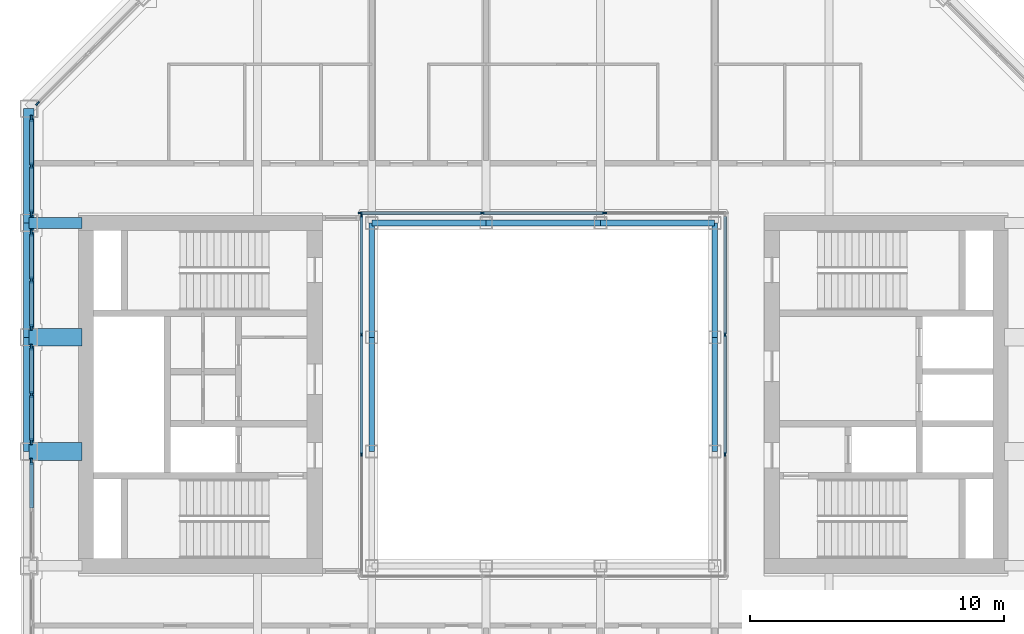
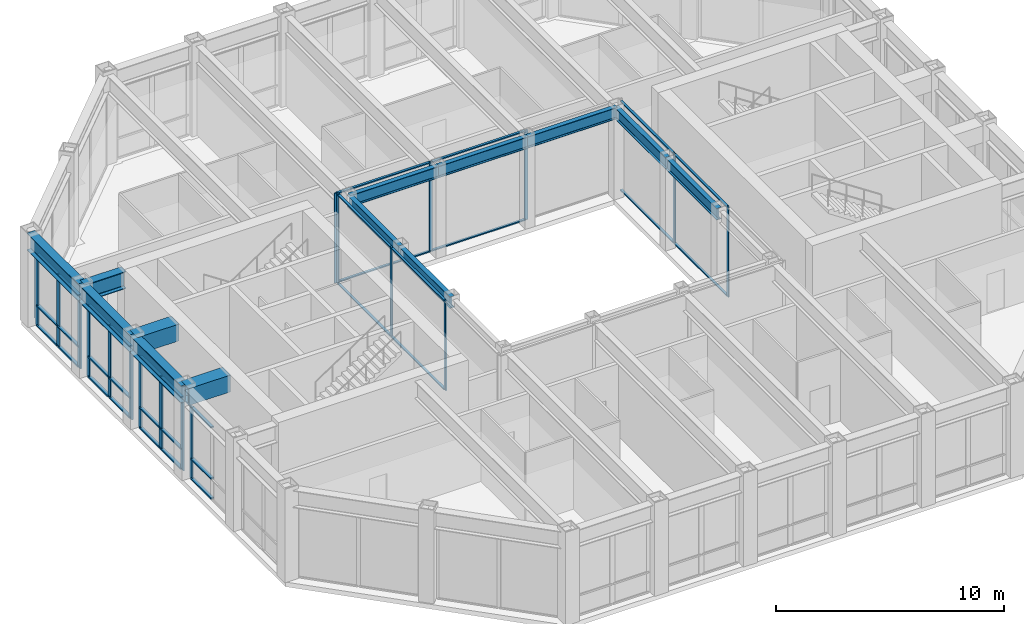
# One storey, part 4 of 15: 52 members, 13 beams, 8 elements without a shape of their own.
"""IFC4 building model written with IfcOpenShell, lengths in metres."""

import ifcopenshell
import ifcopenshell.guid

model = None  # the IFC model being written
_history = None  # IfcOwnerHistory: only IFC2X3 demands one
_inside = {}  # id of a spatial element -> (the spatial element, [elements in it])
_under = {}  # id of a project, library or spatial element -> (it, [spatial elements below it])
_declared = {}  # id of a project -> (the project, [libraries it declares])
_typed = {}  # id of a type object -> (the type object, [elements of that type])
_made_of = {}  # id of a material, layer set ... -> (it, [elements and type objects made of it])


def new_model(schema):
    """Start an empty IFC model of exactly this schema.

    Asked for "IFC4X3", IfcOpenShell would pick the latest addendum, in which some entities
    have other attributes; the version numbers below select the first issue.
    IFC2X3 requires an IfcOwnerHistory on every rooted entity: one is made here for all.
    """
    global model, _history
    if schema == "IFC4X3":
        model = ifcopenshell.file(schema_version=(4, 3, 0, 0))
    else:
        model = ifcopenshell.file(schema=schema)
    _inside.clear()
    _under.clear()
    _declared.clear()
    _typed.clear()
    _made_of.clear()
    _history = None
    if model.schema == "IFC2X3":
        org = make("IfcOrganization", Name="unknown")
        user = make(
            "IfcPersonAndOrganization",
            ThePerson=make("IfcPerson", FamilyName="unknown"),
            TheOrganization=org,
        )
        app = make(
            "IfcApplication",
            ApplicationDeveloper=org,
            Version="unknown",
            ApplicationFullName="unknown",
            ApplicationIdentifier="unknown",
        )
        _history = make(
            "IfcOwnerHistory",
            OwningUser=user,
            OwningApplication=app,
            ChangeAction="ADDED",
            CreationDate=0,
        )
    return model


def make(cls, **values):
    """One entity of the class cls with the attributes given. An attribute that is None is left unset."""
    return model.create_entity(
        cls, **{name: value for name, value in values.items() if value is not None}
    )


def rooted(cls, **values):
    """An entity with a GlobalId (a new one), such as an element, a storey or a relation."""
    return make(cls, GlobalId=ifcopenshell.guid.new(), OwnerHistory=_history, **values)


def si_unit(unit_type, name, prefix=None):
    """IfcSIUnit, for example si_unit("LENGTHUNIT", "METRE", prefix="MILLI")."""
    return make("IfcSIUnit", UnitType=unit_type, Prefix=prefix, Name=name)


def assignment(units):
    """IfcUnitAssignment: the units of a project."""
    return None if units is None else make("IfcUnitAssignment", Units=units)


def point(xyz):
    """IfcCartesianPoint."""
    return None if xyz is None else make("IfcCartesianPoint", Coordinates=xyz)


def direction(xyz):
    """IfcDirection."""
    return None if xyz is None else make("IfcDirection", DirectionRatios=xyz)


def frame(location, z_axis=None, x_axis=None):
    """IfcAxis2Placement3D, a coordinate frame: its origin and axes. An axis left out is left unset."""
    return make(
        "IfcAxis2Placement3D",
        Location=point(location),
        Axis=direction(z_axis),
        RefDirection=direction(x_axis),
    )


def frame_2d(location, x_axis=None):
    """IfcAxis2Placement2D, a coordinate frame in the plane: its origin and x axis."""
    return make(
        "IfcAxis2Placement2D", Location=point(location), RefDirection=direction(x_axis)
    )


def origin():
    """The frame at (0, 0, 0) with its axes left unset."""
    return frame((0.0, 0.0, 0.0))


def origin_2d():
    """The frame at (0, 0) in the plane with its x axis left unset."""
    return frame_2d((0.0, 0.0))


def place(relative_to, where):
    """IfcLocalPlacement: puts the frame where relative to a parent placement (None: the world)."""
    return make(
        "IfcLocalPlacement", PlacementRelTo=relative_to, RelativePlacement=where
    )


def context(
    kind, dimensions, precision=None, world=None, true_north=None, identifier=None
):
    """IfcGeometricRepresentationContext, for example the 3D "Model" context."""
    return make(
        "IfcGeometricRepresentationContext",
        ContextIdentifier=identifier,
        ContextType=kind,
        CoordinateSpaceDimension=dimensions,
        Precision=precision,
        WorldCoordinateSystem=world,
        TrueNorth=true_north,
    )


def subcontext(parent, identifier, kind, view, scale=None):
    """IfcGeometricRepresentationSubContext, for example "Body" below "Model"."""
    return make(
        "IfcGeometricRepresentationSubContext",
        ContextIdentifier=identifier,
        ContextType=kind,
        ParentContext=parent,
        TargetScale=scale,
        TargetView=view,
    )


def project(units=None, contexts=None):
    """IfcProject with its units and contexts."""
    return rooted(
        "IfcProject",
        Name="project",
        RepresentationContexts=contexts,
        UnitsInContext=assignment(units),
    )


def spatial(cls, under=None, at=None, **own):
    """A site, building, storey or space (cls), placed at a placement, below another one or the project."""
    s = rooted(cls, ObjectPlacement=at, **own)
    if under is not None:
        _under.setdefault(under.id(), (under, []))[1].append(s)
    return s


def profile(cls, at=None, kind="AREA", **sizes):
    """A parametric profile (cls). Its sizes go by their IFC names, for example OverallWidth=200.0."""
    return make(cls, ProfileType=kind, Position=at, **sizes)


def rectangle(**sizes):
    """IfcRectangleProfileDef."""
    return profile("IfcRectangleProfileDef", **sizes)


def hollow_rectangle(**sizes):
    """IfcRectangleHollowProfileDef."""
    return profile("IfcRectangleHollowProfileDef", **sizes)


def i_section(**sizes):
    """IfcIShapeProfileDef."""
    return profile("IfcIShapeProfileDef", **sizes)


def extrude(swept, where, along, depth):
    """IfcExtrudedAreaSolid: the profile swept, set in the frame where, extruded along a direction by depth."""
    return make(
        "IfcExtrudedAreaSolid",
        SweptArea=swept,
        Position=where,
        ExtrudedDirection=direction(along),
        Depth=depth,
    )


def shape(context_of_items, identifier, shape_type, items):
    """IfcShapeRepresentation: the items that make up one representation, for example the "Body"."""
    return make(
        "IfcShapeRepresentation",
        ContextOfItems=context_of_items,
        RepresentationIdentifier=identifier,
        RepresentationType=shape_type,
        Items=items,
    )


def material(Name=None, Category=None):
    """IfcMaterial."""
    return make("IfcMaterial", Name=Name, Category=Category)


def material_profile(
    of_material, cross_section, Name=None, Category=None, Priority=None
):
    """IfcMaterialProfile: a cross section and its material."""
    return make(
        "IfcMaterialProfile",
        Name=Name,
        Material=of_material,
        Profile=cross_section,
        Priority=Priority,
        Category=Category,
    )


def profile_set(profiles, Name=None, composite=None):
    """IfcMaterialProfileSet."""
    return make(
        "IfcMaterialProfileSet",
        Name=Name,
        MaterialProfiles=profiles,
        CompositeProfile=composite,
    )


def made_of(thing, what):
    """Note that an element or type object is made of a material, layer set ...; save() writes the relation."""
    if what is not None:
        _made_of.setdefault(what.id(), (what, []))[1].append(thing)
    return thing


def type_object(cls, material=None, **own):
    """A type object (cls), such as IfcWallType, which elements share."""
    return made_of(rooted(cls, **own), material)


def element(
    cls,
    number,
    at=None,
    inside=None,
    cuts=None,
    type_object=None,
    material=None,
    context=None,
    identifier="Body",
    shape_type=None,
    held_by="IfcProductDefinitionShape",
    body=None,
    shapes=None,
    **own,
):
    """One element of the class cls, such as IfcWall. Its Tag is "e" and its number.

    at: its placement. inside: the storey or other place that contains it. cuts: it is an
    opening in that element (IfcRelVoidsElement). A single representation is given by context,
    identifier, shape_type and body (its items); several are given by shapes. held_by: the class
    of the entity that holds the representations. save() writes the other relations.
    """
    e = rooted(cls, Tag="e%d" % number, ObjectPlacement=at, **own)
    if body is not None:
        shapes = [shape(context, identifier, shape_type, body)]
    if shapes is not None:
        e.Representation = make(held_by, Representations=shapes)
    if inside is not None:
        _inside.setdefault(inside.id(), (inside, []))[1].append(e)
    if cuts is not None:
        rooted(
            "IfcRelVoidsElement", RelatingBuildingElement=cuts, RelatedOpeningElement=e
        )
    if type_object is not None:
        _typed.setdefault(type_object.id(), (type_object, []))[1].append(e)
    return made_of(e, material)


def aggregate(whole, parts):
    """IfcRelAggregates: a whole, such as a stair, and the parts it consists of."""
    return rooted("IfcRelAggregates", RelatingObject=whole, RelatedObjects=parts)


def save(model, path):
    """Write the relations noted so far, then the file.

    IfcRelAggregates (storeys below a building ...), IfcRelContainedInSpatialStructure (elements
    in a storey), IfcRelDefinesByType, IfcRelAssociatesMaterial and IfcRelDeclares: one each for
    every whole, place, type object, material and project.
    """
    for whole, parts in _under.values():
        aggregate(whole, parts)
    for where, things in _inside.values():
        rooted(
            "IfcRelContainedInSpatialStructure",
            RelatedElements=things,
            RelatingStructure=where,
        )
    for kind, things in _typed.values():
        rooted("IfcRelDefinesByType", RelatedObjects=things, RelatingType=kind)
    for what, things in _made_of.values():
        rooted("IfcRelAssociatesMaterial", RelatedObjects=things, RelatingMaterial=what)
    for by, libraries in _declared.values():
        rooted("IfcRelDeclares", RelatingContext=by, RelatedDefinitions=libraries)
    model.write(path)


model = new_model("IFC4")

# Units and contexts
model_context = context("Model", 3, precision=1e-05, world=origin(), true_north=direction((0.0, 1.0)))
body_context = subcontext(model_context, "Body", "Model", "MODEL_VIEW")
ifc_project = project(units=[si_unit("LENGTHUNIT", "METRE"), si_unit("AREAUNIT", "SQUARE_METRE"), si_unit("VOLUMEUNIT", "CUBIC_METRE"), si_unit("PLANEANGLEUNIT", "RADIAN"), si_unit("MASSUNIT", "GRAM", prefix="KILO")], contexts=[model_context])

# Site, building, storey
site_placement = place(None, origin())
site = spatial("IfcSite", under=ifc_project, at=site_placement, CompositionType="ELEMENT")
building_placement = place(site_placement, origin())
building = spatial("IfcBuilding", under=site, at=building_placement, Name="Msasa Ring Tower", CompositionType="ELEMENT")
storey_placement = place(building_placement, frame((0.0, 0.0, 195.800048828125)))
storey = spatial("IfcBuildingStorey", under=building, at=storey_placement, Name="L51", CompositionType="ELEMENT", Elevation=195.800048828125)

# Curtain wall, member
ifc_material_1 = material(Name="Aluminium curtain wall with clear glass", Category="aluminium")
curtain_wall_type_1 = type_object("IfcCurtainWallType", Name="CW-C CHAMFER CORNER CURTAIN WALL", PredefinedType="NOTDEFINED", material=ifc_material_1)
curtain_wall_1_placement = place(storey_placement, origin())
curtain_wall_1 = element("IfcCurtainWall", 1, at=curtain_wall_1_placement, inside=storey, type_object=curtain_wall_type_1, Name="Chamfer corner curtain wall NW L51", PredefinedType="NOTDEFINED")
ifc_material_2 = material(Name="Aluminium mullion", Category="aluminium")
ifc_material_profile_1 = material_profile(ifc_material_2, rectangle(XDim=0.06494140625, YDim=0.179931640625, at=origin_2d()), Name="AL 65x180")
ifc_profile_set_1 = profile_set([ifc_material_profile_1], Name="Aluminium mullion")
member_type_1 = type_object("IfcMemberType", Name="CW-C MULLION 65x180", PredefinedType="MULLION", material=ifc_profile_set_1)
member_1_placement = place(storey_placement, frame((-19.9052734375, 11.453369140625, 0.0), z_axis=(0.0, 0.0, 1.0), x_axis=(0.707106781187, -0.707106781187, 0.0)))
member_1 = element("IfcMember", 2, at=member_1_placement, type_object=member_type_1, Name="CW-C mullion 3", PredefinedType="MULLION", context=body_context, shape_type="SweptSolid", body=[
    extrude(rectangle(XDim=0.06494140625, YDim=0.179931640625, at=origin_2d()), origin(), (0.0, 0.0, 1.0), 3.87890625),
])
aggregate(curtain_wall_1, [member_1])

ifc_material_3 = material(Name="Aluminium curtain wall with clear glass", Category="aluminium")
curtain_wall_type_2 = type_object("IfcCurtainWallType", Name="CW-S SKY LOBBY CURTAIN WALL", PredefinedType="NOTDEFINED", material=ifc_material_3)
curtain_wall_2_placement = place(storey_placement, origin())
curtain_wall_2 = element("IfcCurtainWall", 3, at=curtain_wall_2_placement, inside=storey, type_object=curtain_wall_type_2, Name="Sky lobby curtain wall W L51", PredefinedType="NOTDEFINED")
ifc_material_4 = material(Name="Aluminium mullion", Category="aluminium")
ifc_material_profile_2 = material_profile(ifc_material_4, rectangle(XDim=0.074951171875, YDim=0.25, at=origin_2d()), Name="AL 75x250")
ifc_profile_set_2 = profile_set([ifc_material_profile_2], Name="Aluminium mullion")
member_type_2 = type_object("IfcMemberType", Name="CW-S MULLION 75x250", PredefinedType="MULLION", material=ifc_profile_set_2)
member_2_placement = place(storey_placement, frame((-20.14990234375, -2.642578125, 0.0), z_axis=(0.0, 0.0, 1.0), x_axis=(-1.0, 0.0, 0.0)))
member_2 = element("IfcMember", 4, at=member_2_placement, type_object=member_type_2, Name="CW-S mullion 3", PredefinedType="MULLION", context=body_context, shape_type="SweptSolid", body=[
    extrude(rectangle(XDim=0.074951171875, YDim=0.25, at=origin_2d()), origin(), (0.0, 0.0, 1.0), 3.87890625),
])

# Curtain wall, members
curtain_wall_3_placement = place(storey_placement, origin())
curtain_wall_3 = element("IfcCurtainWall", 5, at=curtain_wall_3_placement, inside=storey, type_object=curtain_wall_type_2, Name="Sky lobby curtain wall W L51", PredefinedType="NOTDEFINED")
member_3_placement = place(storey_placement, frame((-20.14990234375, -1.857421875, 0.0), z_axis=(0.0, 0.0, 1.0), x_axis=(-1.0, 0.0, 0.0)))
member_3 = element("IfcMember", 6, at=member_3_placement, type_object=member_type_2, Name="CW-S mullion 1", PredefinedType="MULLION", context=body_context, shape_type="SweptSolid", body=[
    extrude(rectangle(XDim=0.074951171875, YDim=0.25, at=origin_2d()), origin(), (0.0, 0.0, 1.0), 3.87890625),
])
member_4_placement = place(storey_placement, frame((-20.14990234375, 0.0, 0.0), z_axis=(0.0, 0.0, 1.0), x_axis=(-1.0, 0.0, 0.0)))
member_4 = element("IfcMember", 7, at=member_4_placement, type_object=member_type_2, Name="CW-S mullion 2", PredefinedType="MULLION", context=body_context, shape_type="SweptSolid", body=[
    extrude(rectangle(XDim=0.074951171875, YDim=0.25, at=origin_2d()), origin(), (0.0, 0.0, 1.0), 3.87890625),
])
member_5_placement = place(storey_placement, frame((-20.14990234375, 1.857421875, 0.0), z_axis=(0.0, 0.0, 1.0), x_axis=(-1.0, 0.0, 0.0)))
member_5 = element("IfcMember", 8, at=member_5_placement, type_object=member_type_2, Name="CW-S mullion 3", PredefinedType="MULLION", context=body_context, shape_type="SweptSolid", body=[
    extrude(rectangle(XDim=0.074951171875, YDim=0.25, at=origin_2d()), origin(), (0.0, 0.0, 1.0), 3.87890625),
])

curtain_wall_4_placement = place(storey_placement, origin())
curtain_wall_4 = element("IfcCurtainWall", 9, at=curtain_wall_4_placement, inside=storey, type_object=curtain_wall_type_2, Name="Sky lobby curtain wall W L51", PredefinedType="NOTDEFINED")
member_6_placement = place(storey_placement, frame((-20.14990234375, 2.642578125, 0.0), z_axis=(0.0, 0.0, 1.0), x_axis=(-1.0, 0.0, 0.0)))
member_6 = element("IfcMember", 10, at=member_6_placement, type_object=member_type_2, Name="CW-S mullion 1", PredefinedType="MULLION", context=body_context, shape_type="SweptSolid", body=[
    extrude(rectangle(XDim=0.074951171875, YDim=0.25, at=origin_2d()), origin(), (0.0, 0.0, 1.0), 3.87890625),
])
member_7_placement = place(storey_placement, frame((-20.14990234375, 4.5, 0.0), z_axis=(0.0, 0.0, 1.0), x_axis=(-1.0, 0.0, 0.0)))
member_7 = element("IfcMember", 11, at=member_7_placement, type_object=member_type_2, Name="CW-S mullion 2", PredefinedType="MULLION", context=body_context, shape_type="SweptSolid", body=[
    extrude(rectangle(XDim=0.074951171875, YDim=0.25, at=origin_2d()), origin(), (0.0, 0.0, 1.0), 3.87890625),
])
member_8_placement = place(storey_placement, frame((-20.14990234375, 6.357421875, 0.0), z_axis=(0.0, 0.0, 1.0), x_axis=(-1.0, 0.0, 0.0)))
member_8 = element("IfcMember", 12, at=member_8_placement, type_object=member_type_2, Name="CW-S mullion 3", PredefinedType="MULLION", context=body_context, shape_type="SweptSolid", body=[
    extrude(rectangle(XDim=0.074951171875, YDim=0.25, at=origin_2d()), origin(), (0.0, 0.0, 1.0), 3.87890625),
])

curtain_wall_5_placement = place(storey_placement, origin())
curtain_wall_5 = element("IfcCurtainWall", 13, at=curtain_wall_5_placement, inside=storey, type_object=curtain_wall_type_2, Name="Sky lobby curtain wall W L51", PredefinedType="NOTDEFINED")
member_9_placement = place(storey_placement, frame((-20.14990234375, 7.142578125, 0.0), z_axis=(0.0, 0.0, 1.0), x_axis=(-1.0, 0.0, 0.0)))
member_9 = element("IfcMember", 14, at=member_9_placement, type_object=member_type_2, Name="CW-S mullion 1", PredefinedType="MULLION", context=body_context, shape_type="SweptSolid", body=[
    extrude(rectangle(XDim=0.074951171875, YDim=0.25, at=origin_2d()), origin(), (0.0, 0.0, 1.0), 3.87890625),
])
member_10_placement = place(storey_placement, frame((-20.14990234375, 9.0, 0.0), z_axis=(0.0, 0.0, 1.0), x_axis=(-1.0, 0.0, 0.0)))
member_10 = element("IfcMember", 15, at=member_10_placement, type_object=member_type_2, Name="CW-S mullion 2", PredefinedType="MULLION", context=body_context, shape_type="SweptSolid", body=[
    extrude(rectangle(XDim=0.074951171875, YDim=0.25, at=origin_2d()), origin(), (0.0, 0.0, 1.0), 3.87890625),
])
member_11_placement = place(storey_placement, frame((-20.14990234375, 10.857421875, 0.0), z_axis=(0.0, 0.0, 1.0), x_axis=(-1.0, 0.0, 0.0)))
member_11 = element("IfcMember", 16, at=member_11_placement, type_object=member_type_2, Name="CW-S mullion 3", PredefinedType="MULLION", context=body_context, shape_type="SweptSolid", body=[
    extrude(rectangle(XDim=0.074951171875, YDim=0.25, at=origin_2d()), origin(), (0.0, 0.0, 1.0), 3.87890625),
])

# Member
ifc_material_5 = material(Name="Aluminium transom", Category="aluminium")
ifc_material_profile_3 = material_profile(ifc_material_5, rectangle(XDim=0.159912109375, YDim=0.074951171875, at=origin_2d()), Name="AL 75x160")
ifc_profile_set_3 = profile_set([ifc_material_profile_3], Name="Aluminium transom")
member_type_3 = type_object("IfcMemberType", Name="CW-S TRANSOM 75x160", PredefinedType="USERDEFINED", material=ifc_profile_set_3)
member_12_placement = place(storey_placement, frame((-20.14990234375, -4.46240234375, 0.037353515625), z_axis=(0.0, 1.0, 0.0), x_axis=(-1.0, 0.0, 0.0)))
member_12 = element("IfcMember", 17, at=member_12_placement, type_object=member_type_3, Name="CW-S transom 2.1", ObjectType="TRANSOM", PredefinedType="USERDEFINED", context=body_context, shape_type="SweptSolid", body=[
    extrude(rectangle(XDim=0.159912109375, YDim=0.074951171875, at=origin_2d()), origin(), (0.0, 0.0, 1.0), 1.782470703125),
])

member_13_placement = place(storey_placement, frame((-20.14990234375, -4.46240234375, 1.099853515625), z_axis=(0.0, 1.0, 0.0), x_axis=(-1.0, 0.0, 0.0)))
member_13 = element("IfcMember", 18, at=member_13_placement, type_object=member_type_3, Name="CW-S transom 2.2", ObjectType="TRANSOM", PredefinedType="USERDEFINED", context=body_context, shape_type="SweptSolid", body=[
    extrude(rectangle(XDim=0.159912109375, YDim=0.074951171875, at=origin_2d()), origin(), (0.0, 0.0, 1.0), 1.782470703125),
])

member_14_placement = place(storey_placement, frame((-20.14990234375, -4.46240234375, 3.841552734375), z_axis=(0.0, 1.0, 0.0), x_axis=(-1.0, 0.0, 0.0)))
member_14 = element("IfcMember", 19, at=member_14_placement, type_object=member_type_3, Name="CW-S transom 2.3", ObjectType="TRANSOM", PredefinedType="USERDEFINED", context=body_context, shape_type="SweptSolid", body=[
    extrude(rectangle(XDim=0.159912109375, YDim=0.074951171875, at=origin_2d()), origin(), (0.0, 0.0, 1.0), 1.782470703125),
])

aggregate(curtain_wall_2, [member_2, member_12, member_13, member_14])

member_15_placement = place(storey_placement, frame((-20.14990234375, -1.820068359375, 0.037353515625), z_axis=(0.0, 1.0, 0.0), x_axis=(-1.0, 0.0, 0.0)))
member_15 = element("IfcMember", 20, at=member_15_placement, type_object=member_type_3, Name="CW-S transom 1.1", ObjectType="TRANSOM", PredefinedType="USERDEFINED", context=body_context, shape_type="SweptSolid", body=[
    extrude(rectangle(XDim=0.159912109375, YDim=0.074951171875, at=origin_2d()), origin(), (0.0, 0.0, 1.0), 1.782470703125),
])

member_16_placement = place(storey_placement, frame((-20.14990234375, -1.820068359375, 1.099853515625), z_axis=(0.0, 1.0, 0.0), x_axis=(-1.0, 0.0, 0.0)))
member_16 = element("IfcMember", 21, at=member_16_placement, type_object=member_type_3, Name="CW-S transom 1.2", ObjectType="TRANSOM", PredefinedType="USERDEFINED", context=body_context, shape_type="SweptSolid", body=[
    extrude(rectangle(XDim=0.159912109375, YDim=0.074951171875, at=origin_2d()), origin(), (0.0, 0.0, 1.0), 1.782470703125),
])

member_17_placement = place(storey_placement, frame((-20.14990234375, -1.820068359375, 3.841552734375), z_axis=(0.0, 1.0, 0.0), x_axis=(-1.0, 0.0, 0.0)))
member_17 = element("IfcMember", 22, at=member_17_placement, type_object=member_type_3, Name="CW-S transom 1.3", ObjectType="TRANSOM", PredefinedType="USERDEFINED", context=body_context, shape_type="SweptSolid", body=[
    extrude(rectangle(XDim=0.159912109375, YDim=0.074951171875, at=origin_2d()), origin(), (0.0, 0.0, 1.0), 1.782470703125),
])

member_18_placement = place(storey_placement, frame((-20.14990234375, 0.03759765625, 0.037353515625), z_axis=(0.0, 1.0, 0.0), x_axis=(-1.0, 0.0, 0.0)))
member_18 = element("IfcMember", 23, at=member_18_placement, type_object=member_type_3, Name="CW-S transom 2.1", ObjectType="TRANSOM", PredefinedType="USERDEFINED", context=body_context, shape_type="SweptSolid", body=[
    extrude(rectangle(XDim=0.159912109375, YDim=0.074951171875, at=origin_2d()), origin(), (0.0, 0.0, 1.0), 1.782470703125),
])

member_19_placement = place(storey_placement, frame((-20.14990234375, 0.03759765625, 1.099853515625), z_axis=(0.0, 1.0, 0.0), x_axis=(-1.0, 0.0, 0.0)))
member_19 = element("IfcMember", 24, at=member_19_placement, type_object=member_type_3, Name="CW-S transom 2.2", ObjectType="TRANSOM", PredefinedType="USERDEFINED", context=body_context, shape_type="SweptSolid", body=[
    extrude(rectangle(XDim=0.159912109375, YDim=0.074951171875, at=origin_2d()), origin(), (0.0, 0.0, 1.0), 1.782470703125),
])

member_20_placement = place(storey_placement, frame((-20.14990234375, 0.03759765625, 3.841552734375), z_axis=(0.0, 1.0, 0.0), x_axis=(-1.0, 0.0, 0.0)))
member_20 = element("IfcMember", 25, at=member_20_placement, type_object=member_type_3, Name="CW-S transom 2.3", ObjectType="TRANSOM", PredefinedType="USERDEFINED", context=body_context, shape_type="SweptSolid", body=[
    extrude(rectangle(XDim=0.159912109375, YDim=0.074951171875, at=origin_2d()), origin(), (0.0, 0.0, 1.0), 1.782470703125),
])

aggregate(curtain_wall_3, [member_3, member_4, member_5, member_15, member_16, member_17, member_18, member_19, member_20])

member_21_placement = place(storey_placement, frame((-20.14990234375, 2.679931640625, 0.037353515625), z_axis=(0.0, 1.0, 0.0), x_axis=(-1.0, 0.0, 0.0)))
member_21 = element("IfcMember", 26, at=member_21_placement, type_object=member_type_3, Name="CW-S transom 1.1", ObjectType="TRANSOM", PredefinedType="USERDEFINED", context=body_context, shape_type="SweptSolid", body=[
    extrude(rectangle(XDim=0.159912109375, YDim=0.074951171875, at=origin_2d()), origin(), (0.0, 0.0, 1.0), 1.782470703125),
])

member_22_placement = place(storey_placement, frame((-20.14990234375, 2.679931640625, 1.099853515625), z_axis=(0.0, 1.0, 0.0), x_axis=(-1.0, 0.0, 0.0)))
member_22 = element("IfcMember", 27, at=member_22_placement, type_object=member_type_3, Name="CW-S transom 1.2", ObjectType="TRANSOM", PredefinedType="USERDEFINED", context=body_context, shape_type="SweptSolid", body=[
    extrude(rectangle(XDim=0.159912109375, YDim=0.074951171875, at=origin_2d()), origin(), (0.0, 0.0, 1.0), 1.782470703125),
])

member_23_placement = place(storey_placement, frame((-20.14990234375, 2.679931640625, 3.841552734375), z_axis=(0.0, 1.0, 0.0), x_axis=(-1.0, 0.0, 0.0)))
member_23 = element("IfcMember", 28, at=member_23_placement, type_object=member_type_3, Name="CW-S transom 1.3", ObjectType="TRANSOM", PredefinedType="USERDEFINED", context=body_context, shape_type="SweptSolid", body=[
    extrude(rectangle(XDim=0.159912109375, YDim=0.074951171875, at=origin_2d()), origin(), (0.0, 0.0, 1.0), 1.782470703125),
])

member_24_placement = place(storey_placement, frame((-20.14990234375, 4.53759765625, 0.037353515625), z_axis=(0.0, 1.0, 0.0), x_axis=(-1.0, 0.0, 0.0)))
member_24 = element("IfcMember", 29, at=member_24_placement, type_object=member_type_3, Name="CW-S transom 2.1", ObjectType="TRANSOM", PredefinedType="USERDEFINED", context=body_context, shape_type="SweptSolid", body=[
    extrude(rectangle(XDim=0.159912109375, YDim=0.074951171875, at=origin_2d()), origin(), (0.0, 0.0, 1.0), 1.782470703125),
])

member_25_placement = place(storey_placement, frame((-20.14990234375, 4.53759765625, 1.099853515625), z_axis=(0.0, 1.0, 0.0), x_axis=(-1.0, 0.0, 0.0)))
member_25 = element("IfcMember", 30, at=member_25_placement, type_object=member_type_3, Name="CW-S transom 2.2", ObjectType="TRANSOM", PredefinedType="USERDEFINED", context=body_context, shape_type="SweptSolid", body=[
    extrude(rectangle(XDim=0.159912109375, YDim=0.074951171875, at=origin_2d()), origin(), (0.0, 0.0, 1.0), 1.782470703125),
])

member_26_placement = place(storey_placement, frame((-20.14990234375, 4.53759765625, 3.841552734375), z_axis=(0.0, 1.0, 0.0), x_axis=(-1.0, 0.0, 0.0)))
member_26 = element("IfcMember", 31, at=member_26_placement, type_object=member_type_3, Name="CW-S transom 2.3", ObjectType="TRANSOM", PredefinedType="USERDEFINED", context=body_context, shape_type="SweptSolid", body=[
    extrude(rectangle(XDim=0.159912109375, YDim=0.074951171875, at=origin_2d()), origin(), (0.0, 0.0, 1.0), 1.782470703125),
])

aggregate(curtain_wall_4, [member_6, member_7, member_8, member_21, member_22, member_23, member_24, member_25, member_26])

member_27_placement = place(storey_placement, frame((-20.14990234375, 7.179931640625, 0.037353515625), z_axis=(0.0, 1.0, 0.0), x_axis=(-1.0, 0.0, 0.0)))
member_27 = element("IfcMember", 32, at=member_27_placement, type_object=member_type_3, Name="CW-S transom 1.1", ObjectType="TRANSOM", PredefinedType="USERDEFINED", context=body_context, shape_type="SweptSolid", body=[
    extrude(rectangle(XDim=0.159912109375, YDim=0.074951171875, at=origin_2d()), origin(), (0.0, 0.0, 1.0), 1.782470703125),
])

member_28_placement = place(storey_placement, frame((-20.14990234375, 7.179931640625, 1.099853515625), z_axis=(0.0, 1.0, 0.0), x_axis=(-1.0, 0.0, 0.0)))
member_28 = element("IfcMember", 33, at=member_28_placement, type_object=member_type_3, Name="CW-S transom 1.2", ObjectType="TRANSOM", PredefinedType="USERDEFINED", context=body_context, shape_type="SweptSolid", body=[
    extrude(rectangle(XDim=0.159912109375, YDim=0.074951171875, at=origin_2d()), origin(), (0.0, 0.0, 1.0), 1.782470703125),
])

member_29_placement = place(storey_placement, frame((-20.14990234375, 7.179931640625, 3.841552734375), z_axis=(0.0, 1.0, 0.0), x_axis=(-1.0, 0.0, 0.0)))
member_29 = element("IfcMember", 34, at=member_29_placement, type_object=member_type_3, Name="CW-S transom 1.3", ObjectType="TRANSOM", PredefinedType="USERDEFINED", context=body_context, shape_type="SweptSolid", body=[
    extrude(rectangle(XDim=0.159912109375, YDim=0.074951171875, at=origin_2d()), origin(), (0.0, 0.0, 1.0), 1.782470703125),
])

member_30_placement = place(storey_placement, frame((-20.14990234375, 9.03759765625, 0.037353515625), z_axis=(0.0, 1.0, 0.0), x_axis=(-1.0, 0.0, 0.0)))
member_30 = element("IfcMember", 35, at=member_30_placement, type_object=member_type_3, Name="CW-S transom 2.1", ObjectType="TRANSOM", PredefinedType="USERDEFINED", context=body_context, shape_type="SweptSolid", body=[
    extrude(rectangle(XDim=0.159912109375, YDim=0.074951171875, at=origin_2d()), origin(), (0.0, 0.0, 1.0), 1.782470703125),
])

member_31_placement = place(storey_placement, frame((-20.14990234375, 9.03759765625, 1.099853515625), z_axis=(0.0, 1.0, 0.0), x_axis=(-1.0, 0.0, 0.0)))
member_31 = element("IfcMember", 36, at=member_31_placement, type_object=member_type_3, Name="CW-S transom 2.2", ObjectType="TRANSOM", PredefinedType="USERDEFINED", context=body_context, shape_type="SweptSolid", body=[
    extrude(rectangle(XDim=0.159912109375, YDim=0.074951171875, at=origin_2d()), origin(), (0.0, 0.0, 1.0), 1.782470703125),
])

member_32_placement = place(storey_placement, frame((-20.14990234375, 9.03759765625, 3.841552734375), z_axis=(0.0, 1.0, 0.0), x_axis=(-1.0, 0.0, 0.0)))
member_32 = element("IfcMember", 37, at=member_32_placement, type_object=member_type_3, Name="CW-S transom 2.3", ObjectType="TRANSOM", PredefinedType="USERDEFINED", context=body_context, shape_type="SweptSolid", body=[
    extrude(rectangle(XDim=0.159912109375, YDim=0.074951171875, at=origin_2d()), origin(), (0.0, 0.0, 1.0), 1.782470703125),
])

aggregate(curtain_wall_5, [member_9, member_10, member_11, member_27, member_28, member_29, member_30, member_31, member_32])

# Curtain wall, members
ifc_material_6 = material(Name="Aluminium curtain wall with clear glass", Category="aluminium")
curtain_wall_type_3 = type_object("IfcCurtainWallType", Name="CW-W LIGHT WELL CURTAIN WALL", PredefinedType="NOTDEFINED", material=ifc_material_6)
curtain_wall_6_placement = place(storey_placement, origin())
curtain_wall_6 = element("IfcCurtainWall", 38, at=curtain_wall_6_placement, inside=storey, type_object=curtain_wall_type_3, Name="Light well curtain wall N L51", PredefinedType="NOTDEFINED")
ifc_material_7 = material(Name="Aluminium mullion", Category="aluminium")
ifc_material_profile_4 = material_profile(ifc_material_7, rectangle(XDim=0.06005859375, YDim=0.159912109375, at=origin_2d()), Name="AL 60x160")
ifc_profile_set_4 = profile_set([ifc_material_profile_4], Name="Aluminium mullion")
member_type_4 = type_object("IfcMemberType", Name="CW-W MULLION 60x160", PredefinedType="MULLION", material=ifc_profile_set_4)
member_33_placement = place(storey_placement, frame((-7.199951171875, 7.14990234375, 0.0), z_axis=(0.0, 0.0, 1.0), x_axis=(0.0, 1.0, 0.0)))
member_33 = element("IfcMember", 39, at=member_33_placement, type_object=member_type_4, Name="CW-W mullion 1", PredefinedType="MULLION", context=body_context, shape_type="SweptSolid", body=[
    extrude(rectangle(XDim=0.06005859375, YDim=0.159912109375, at=origin_2d()), origin(), (0.0, 0.0, 1.0), 4.800048828125),
])
member_34_placement = place(storey_placement, frame((-2.409912109375, 7.14990234375, 0.0), z_axis=(0.0, 0.0, 1.0), x_axis=(0.0, 1.0, 0.0)))
member_34 = element("IfcMember", 40, at=member_34_placement, type_object=member_type_4, Name="CW-W mullion 2", PredefinedType="MULLION", context=body_context, shape_type="SweptSolid", body=[
    extrude(rectangle(XDim=0.06005859375, YDim=0.159912109375, at=origin_2d()), origin(), (0.0, 0.0, 1.0), 4.800048828125),
])
member_35_placement = place(storey_placement, frame((2.409912109375, 7.14990234375, 0.0), z_axis=(0.0, 0.0, 1.0), x_axis=(0.0, 1.0, 0.0)))
member_35 = element("IfcMember", 41, at=member_35_placement, type_object=member_type_4, Name="CW-W mullion 3", PredefinedType="MULLION", context=body_context, shape_type="SweptSolid", body=[
    extrude(rectangle(XDim=0.06005859375, YDim=0.159912109375, at=origin_2d()), origin(), (0.0, 0.0, 1.0), 4.800048828125),
])

curtain_wall_7_placement = place(storey_placement, origin())
curtain_wall_7 = element("IfcCurtainWall", 42, at=curtain_wall_7_placement, inside=storey, type_object=curtain_wall_type_3, Name="Light well curtain wall E L51", PredefinedType="NOTDEFINED")
member_36_placement = place(storey_placement, frame((7.14990234375, -2.356689453125, 0.0), z_axis=(0.0, 0.0, 1.0), x_axis=(-1.0, 0.0, 0.0)))
member_36 = element("IfcMember", 43, at=member_36_placement, type_object=member_type_4, Name="CW-W mullion 2", PredefinedType="MULLION", context=body_context, shape_type="SweptSolid", body=[
    extrude(rectangle(XDim=0.06005859375, YDim=0.159912109375, at=origin_2d()), origin(), (0.0, 0.0, 1.0), 4.800048828125),
])
member_37_placement = place(storey_placement, frame((7.14990234375, 2.356689453125, 0.0), z_axis=(0.0, 0.0, 1.0), x_axis=(-1.0, 0.0, 0.0)))
member_37 = element("IfcMember", 44, at=member_37_placement, type_object=member_type_4, Name="CW-W mullion 3", PredefinedType="MULLION", context=body_context, shape_type="SweptSolid", body=[
    extrude(rectangle(XDim=0.06005859375, YDim=0.159912109375, at=origin_2d()), origin(), (0.0, 0.0, 1.0), 4.800048828125),
])

curtain_wall_8_placement = place(storey_placement, origin())
curtain_wall_8 = element("IfcCurtainWall", 45, at=curtain_wall_8_placement, inside=storey, type_object=curtain_wall_type_3, Name="Light well curtain wall W L51", PredefinedType="NOTDEFINED")
member_38_placement = place(storey_placement, frame((-7.14990234375, -2.356689453125, 0.0), z_axis=(0.0, 0.0, 1.0), x_axis=(-1.0, 0.0, 0.0)))
member_38 = element("IfcMember", 46, at=member_38_placement, type_object=member_type_4, Name="CW-W mullion 2", PredefinedType="MULLION", context=body_context, shape_type="SweptSolid", body=[
    extrude(rectangle(XDim=0.06005859375, YDim=0.159912109375, at=origin_2d()), origin(), (0.0, 0.0, 1.0), 4.800048828125),
])
member_39_placement = place(storey_placement, frame((-7.14990234375, 2.356689453125, 0.0), z_axis=(0.0, 0.0, 1.0), x_axis=(-1.0, 0.0, 0.0)))
member_39 = element("IfcMember", 47, at=member_39_placement, type_object=member_type_4, Name="CW-W mullion 3", PredefinedType="MULLION", context=body_context, shape_type="SweptSolid", body=[
    extrude(rectangle(XDim=0.06005859375, YDim=0.159912109375, at=origin_2d()), origin(), (0.0, 0.0, 1.0), 4.800048828125),
])
member_40_placement = place(storey_placement, frame((-7.14990234375, 7.0400390625, 0.0), z_axis=(0.0, 0.0, 1.0), x_axis=(-1.0, 0.0, 0.0)))
member_40 = element("IfcMember", 48, at=member_40_placement, type_object=member_type_4, Name="CW-W mullion 4", PredefinedType="MULLION", context=body_context, shape_type="SweptSolid", body=[
    extrude(rectangle(XDim=0.06005859375, YDim=0.159912109375, at=origin_2d()), origin(), (0.0, 0.0, 1.0), 4.800048828125),
])

# Member
ifc_material_8 = material(Name="Aluminium transom", Category="aluminium")
ifc_material_profile_5 = material_profile(ifc_material_8, rectangle(XDim=0.1201171875, YDim=0.06005859375, at=origin_2d()), Name="AL 60x120")
ifc_profile_set_5 = profile_set([ifc_material_profile_5], Name="Aluminium transom")
member_type_5 = type_object("IfcMemberType", Name="CW-W TRANSOM 60x120", PredefinedType="USERDEFINED", material=ifc_profile_set_5)
member_41_placement = place(storey_placement, frame((-7.169921875, 7.14990234375, 0.030029296875), z_axis=(1.0, 0.0, 0.0), x_axis=(0.0, 1.0, 0.0)))
member_41 = element("IfcMember", 49, at=member_41_placement, type_object=member_type_5, Name="CW-W transom 1.1", ObjectType="TRANSOM", PredefinedType="USERDEFINED", context=body_context, shape_type="SweptSolid", body=[
    extrude(rectangle(XDim=0.1201171875, YDim=0.06005859375, at=origin_2d()), origin(), (0.0, 0.0, 1.0), 4.72998046875),
])

member_42_placement = place(storey_placement, frame((-7.169921875, 7.14990234375, 4.77001953125), z_axis=(1.0, 0.0, 0.0), x_axis=(0.0, 1.0, 0.0)))
member_42 = element("IfcMember", 50, at=member_42_placement, type_object=member_type_5, Name="CW-W transom 1.2", ObjectType="TRANSOM", PredefinedType="USERDEFINED", context=body_context, shape_type="SweptSolid", body=[
    extrude(rectangle(XDim=0.1201171875, YDim=0.06005859375, at=origin_2d()), origin(), (0.0, 0.0, 1.0), 4.72998046875),
])

member_43_placement = place(storey_placement, frame((-2.3798828125, 7.14990234375, 0.030029296875), z_axis=(1.0, 0.0, 0.0), x_axis=(0.0, 1.0, 0.0)))
member_43 = element("IfcMember", 51, at=member_43_placement, type_object=member_type_5, Name="CW-W transom 2.1", ObjectType="TRANSOM", PredefinedType="USERDEFINED", context=body_context, shape_type="SweptSolid", body=[
    extrude(rectangle(XDim=0.1201171875, YDim=0.06005859375, at=origin_2d()), origin(), (0.0, 0.0, 1.0), 4.759765625),
])

member_44_placement = place(storey_placement, frame((-2.3798828125, 7.14990234375, 4.77001953125), z_axis=(1.0, 0.0, 0.0), x_axis=(0.0, 1.0, 0.0)))
member_44 = element("IfcMember", 52, at=member_44_placement, type_object=member_type_5, Name="CW-W transom 2.2", ObjectType="TRANSOM", PredefinedType="USERDEFINED", context=body_context, shape_type="SweptSolid", body=[
    extrude(rectangle(XDim=0.1201171875, YDim=0.06005859375, at=origin_2d()), origin(), (0.0, 0.0, 1.0), 4.759765625),
])

aggregate(curtain_wall_6, [member_33, member_34, member_35, member_41, member_42, member_43, member_44])

member_45_placement = place(storey_placement, frame((7.14990234375, -2.32666015625, 0.030029296875), z_axis=(0.0, 1.0, 0.0), x_axis=(-1.0, 0.0, 0.0)))
member_45 = element("IfcMember", 53, at=member_45_placement, type_object=member_type_5, Name="CW-W transom 2.1", ObjectType="TRANSOM", PredefinedType="USERDEFINED", context=body_context, shape_type="SweptSolid", body=[
    extrude(rectangle(XDim=0.1201171875, YDim=0.06005859375, at=origin_2d()), origin(), (0.0, 0.0, 1.0), 4.6533203125),
])

member_46_placement = place(storey_placement, frame((7.14990234375, -2.32666015625, 4.77001953125), z_axis=(0.0, 1.0, 0.0), x_axis=(-1.0, 0.0, 0.0)))
member_46 = element("IfcMember", 54, at=member_46_placement, type_object=member_type_5, Name="CW-W transom 2.2", ObjectType="TRANSOM", PredefinedType="USERDEFINED", context=body_context, shape_type="SweptSolid", body=[
    extrude(rectangle(XDim=0.1201171875, YDim=0.06005859375, at=origin_2d()), origin(), (0.0, 0.0, 1.0), 4.6533203125),
])

member_47_placement = place(storey_placement, frame((7.14990234375, 2.38671875, 0.030029296875), z_axis=(0.0, 1.0, 0.0), x_axis=(-1.0, 0.0, 0.0)))
member_47 = element("IfcMember", 55, at=member_47_placement, type_object=member_type_5, Name="CW-W transom 3.1", ObjectType="TRANSOM", PredefinedType="USERDEFINED", context=body_context, shape_type="SweptSolid", body=[
    extrude(rectangle(XDim=0.1201171875, YDim=0.06005859375, at=origin_2d()), origin(), (0.0, 0.0, 1.0), 4.623291015625),
])

member_48_placement = place(storey_placement, frame((7.14990234375, 2.38671875, 4.77001953125), z_axis=(0.0, 1.0, 0.0), x_axis=(-1.0, 0.0, 0.0)))
member_48 = element("IfcMember", 56, at=member_48_placement, type_object=member_type_5, Name="CW-W transom 3.2", ObjectType="TRANSOM", PredefinedType="USERDEFINED", context=body_context, shape_type="SweptSolid", body=[
    extrude(rectangle(XDim=0.1201171875, YDim=0.06005859375, at=origin_2d()), origin(), (0.0, 0.0, 1.0), 4.623291015625),
])

aggregate(curtain_wall_7, [member_36, member_37, member_45, member_46, member_47, member_48])

member_49_placement = place(storey_placement, frame((-7.14990234375, -2.32666015625, 0.030029296875), z_axis=(0.0, 1.0, 0.0), x_axis=(-1.0, 0.0, 0.0)))
member_49 = element("IfcMember", 57, at=member_49_placement, type_object=member_type_5, Name="CW-W transom 2.1", ObjectType="TRANSOM", PredefinedType="USERDEFINED", context=body_context, shape_type="SweptSolid", body=[
    extrude(rectangle(XDim=0.1201171875, YDim=0.06005859375, at=origin_2d()), origin(), (0.0, 0.0, 1.0), 4.6533203125),
])

member_50_placement = place(storey_placement, frame((-7.14990234375, -2.32666015625, 4.77001953125), z_axis=(0.0, 1.0, 0.0), x_axis=(-1.0, 0.0, 0.0)))
member_50 = element("IfcMember", 58, at=member_50_placement, type_object=member_type_5, Name="CW-W transom 2.2", ObjectType="TRANSOM", PredefinedType="USERDEFINED", context=body_context, shape_type="SweptSolid", body=[
    extrude(rectangle(XDim=0.1201171875, YDim=0.06005859375, at=origin_2d()), origin(), (0.0, 0.0, 1.0), 4.6533203125),
])

member_51_placement = place(storey_placement, frame((-7.14990234375, 2.38671875, 0.030029296875), z_axis=(0.0, 1.0, 0.0), x_axis=(-1.0, 0.0, 0.0)))
member_51 = element("IfcMember", 59, at=member_51_placement, type_object=member_type_5, Name="CW-W transom 3.1", ObjectType="TRANSOM", PredefinedType="USERDEFINED", context=body_context, shape_type="SweptSolid", body=[
    extrude(rectangle(XDim=0.1201171875, YDim=0.06005859375, at=origin_2d()), origin(), (0.0, 0.0, 1.0), 4.623291015625),
])

member_52_placement = place(storey_placement, frame((-7.14990234375, 2.38671875, 4.77001953125), z_axis=(0.0, 1.0, 0.0), x_axis=(-1.0, 0.0, 0.0)))
member_52 = element("IfcMember", 60, at=member_52_placement, type_object=member_type_5, Name="CW-W transom 3.2", ObjectType="TRANSOM", PredefinedType="USERDEFINED", context=body_context, shape_type="SweptSolid", body=[
    extrude(rectangle(XDim=0.1201171875, YDim=0.06005859375, at=origin_2d()), origin(), (0.0, 0.0, 1.0), 4.623291015625),
])

aggregate(curtain_wall_8, [member_38, member_39, member_40, member_49, member_50, member_51, member_52])

# Beams
ifc_material_9 = material(Name="Steel S355", Category="steel")
ifc_material_profile_6 = material_profile(ifc_material_9, hollow_rectangle(XDim=0.699951171875, YDim=0.89990234375, WallThickness=0.080078125, at=origin_2d()), Name="BOX 900x700x80")
ifc_profile_set_6 = profile_set([ifc_material_profile_6], Name="Steel S355")
beam_type_1 = type_object("IfcBeamType", Name="FB4 BOX 900x700x80", PredefinedType="BEAM", material=ifc_profile_set_6)
for number, where, z_axis, x_axis, name in (
    (61, (-20.25, -2.25, 4.349853515625), (1.0, 0.0, 0.0), (0.0, 1.0, 0.0), "Floor beam W -2.25 under L52"),
    (62, (-20.25, 2.25, 4.349853515625), (1.0, 0.0, 0.0), (0.0, 1.0, 0.0), "Floor beam W +2.25 under L52"),
):
    element("IfcBeam", number, at=place(storey_placement, frame(where, z_axis=z_axis, x_axis=x_axis)), inside=storey, type_object=beam_type_1, Name=name, PredefinedType="BEAM", context=body_context, shape_type="SweptSolid", body=[
        extrude(hollow_rectangle(XDim=0.699951171875, YDim=0.89990234375, WallThickness=0.080078125, at=origin_2d()), origin(), (0.0, 0.0, 1.0), 2.10009765625),
    ])
ifc_material_10 = material(Name="Steel S355", Category="steel")
ifc_material_profile_7 = material_profile(ifc_material_10, i_section(OverallWidth=0.42041015625, OverallDepth=0.9208984375, WebThickness=0.021484375, FlangeThickness=0.03662109375, FilletRadius=0.024169921875, at=origin_2d()), Name="UB 914x419x388")
ifc_profile_set_7 = profile_set([ifc_material_profile_7], Name="Steel S355")
beam_type_2 = type_object("IfcBeamType", Name="GB1 UB 914x419x388", PredefinedType="BEAM", material=ifc_profile_set_7)
beam_placement = place(storey_placement, frame((-18.14990234375, 6.75, 4.33935546875), z_axis=(-1.0, 0.0, 0.0), x_axis=(0.0, -1.0, 0.0)))
element("IfcBeam", 63, at=beam_placement, inside=storey, type_object=beam_type_2, Name="Girder W +6.75 under L52", PredefinedType="BEAM", context=body_context, shape_type="SweptSolid", body=[
    extrude(i_section(OverallWidth=0.42041015625, OverallDepth=0.9208984375, WebThickness=0.021484375, FlangeThickness=0.03662109375, FilletRadius=0.024169921875, at=origin_2d()), origin(), (0.0, 0.0, 1.0), 2.10009765625),
])
ifc_material_11 = material(Name="Steel S355", Category="steel")
ifc_material_profile_8 = material_profile(ifc_material_11, i_section(OverallWidth=0.230224609375, OverallDepth=0.6171875, WebThickness=0.01318359375, FlangeThickness=0.022216796875, FilletRadius=0.0126953125, at=origin_2d()), Name="UB 610x229x140")
ifc_profile_set_8 = profile_set([ifc_material_profile_8], Name="Steel S355")
beam_type_3 = type_object("IfcBeamType", Name="RB1 UB 610x229x140", PredefinedType="BEAM", material=ifc_profile_set_8)
for number, where, z_axis, x_axis, name in (
    (64, (6.75, -2.25, 4.491455078125), (0.0, 1.0, 0.0), (-1.0, 0.0, 0.0), "Inner ring beam IR+6.75-2.25 under L52"),
    (65, (6.75, 2.25, 4.491455078125), (0.0, 1.0, 0.0), (-1.0, 0.0, 0.0), "Inner ring beam IR+6.75+2.25 under L52"),
    (66, (6.75, 6.75, 4.491455078125), (-1.0, 0.0, 0.0), (0.0, -1.0, 0.0), "Inner ring beam IR+6.75+6.75 under L52"),
    (67, (2.25, 6.75, 4.491455078125), (-1.0, 0.0, 0.0), (0.0, -1.0, 0.0), "Inner ring beam IR+2.25+6.75 under L52"),
    (68, (-2.25, 6.75, 4.491455078125), (-1.0, 0.0, 0.0), (0.0, -1.0, 0.0), "Inner ring beam IR-2.25+6.75 under L52"),
    (69, (-6.75, 6.75, 4.491455078125), (0.0, -1.0, 0.0), (1.0, 0.0, 0.0), "Inner ring beam IR-6.75+6.75 under L52"),
    (70, (-6.75, 2.25, 4.491455078125), (0.0, -1.0, 0.0), (1.0, 0.0, 0.0), "Inner ring beam IR-6.75+2.25 under L52"),
):
    element("IfcBeam", number, at=place(storey_placement, frame(where, z_axis=z_axis, x_axis=x_axis)), inside=storey, type_object=beam_type_3, Name=name, PredefinedType="BEAM", context=body_context, shape_type="SweptSolid", body=[
        extrude(i_section(OverallWidth=0.230224609375, OverallDepth=0.6171875, WebThickness=0.01318359375, FlangeThickness=0.022216796875, FilletRadius=0.0126953125, at=origin_2d()), origin(), (0.0, 0.0, 1.0), 4.5),
    ])
ifc_material_12 = material(Name="Steel S355", Category="steel")
ifc_material_profile_9 = material_profile(ifc_material_12, i_section(OverallWidth=0.42041015625, OverallDepth=0.9208984375, WebThickness=0.021484375, FlangeThickness=0.03662109375, FilletRadius=0.024169921875, at=origin_2d()), Name="UB 914x419x388")
ifc_profile_set_9 = profile_set([ifc_material_profile_9], Name="Steel S355")
beam_type_4 = type_object("IfcBeamType", Name="SB1 UB 914x419x388", PredefinedType="SPANDREL", material=ifc_profile_set_9)
for number, where, z_axis, x_axis, name in (
    (71, (-20.25, 11.25, 4.33935546875), (0.0, -1.0, 0.0), (1.0, 0.0, 0.0), "Spandrel W+11.25 to W+6.75 under L52"),
    (72, (-20.25, 6.75, 4.33935546875), (0.0, -1.0, 0.0), (1.0, 0.0, 0.0), "Spandrel W+6.75 to W+2.25 under L52"),
    (73, (-20.25, 2.25, 4.33935546875), (0.0, -1.0, 0.0), (1.0, 0.0, 0.0), "Spandrel W+2.25 to W-2.25 under L52"),
):
    element("IfcBeam", number, at=place(storey_placement, frame(where, z_axis=z_axis, x_axis=x_axis)), inside=storey, type_object=beam_type_4, Name=name, PredefinedType="SPANDREL", context=body_context, shape_type="SweptSolid", body=[
        extrude(i_section(OverallWidth=0.42041015625, OverallDepth=0.9208984375, WebThickness=0.021484375, FlangeThickness=0.03662109375, FilletRadius=0.024169921875, at=origin_2d()), origin(), (0.0, 0.0, 1.0), 4.5),
    ])

save(model, "model.ifc")
